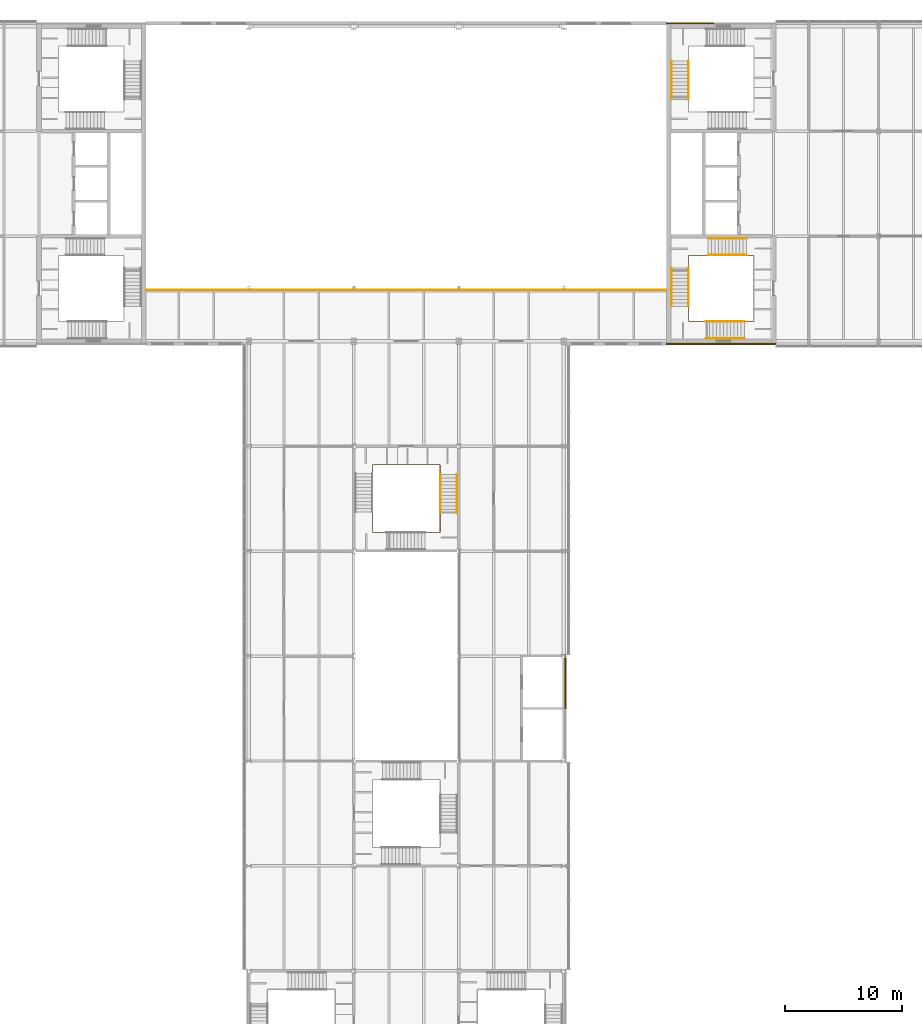
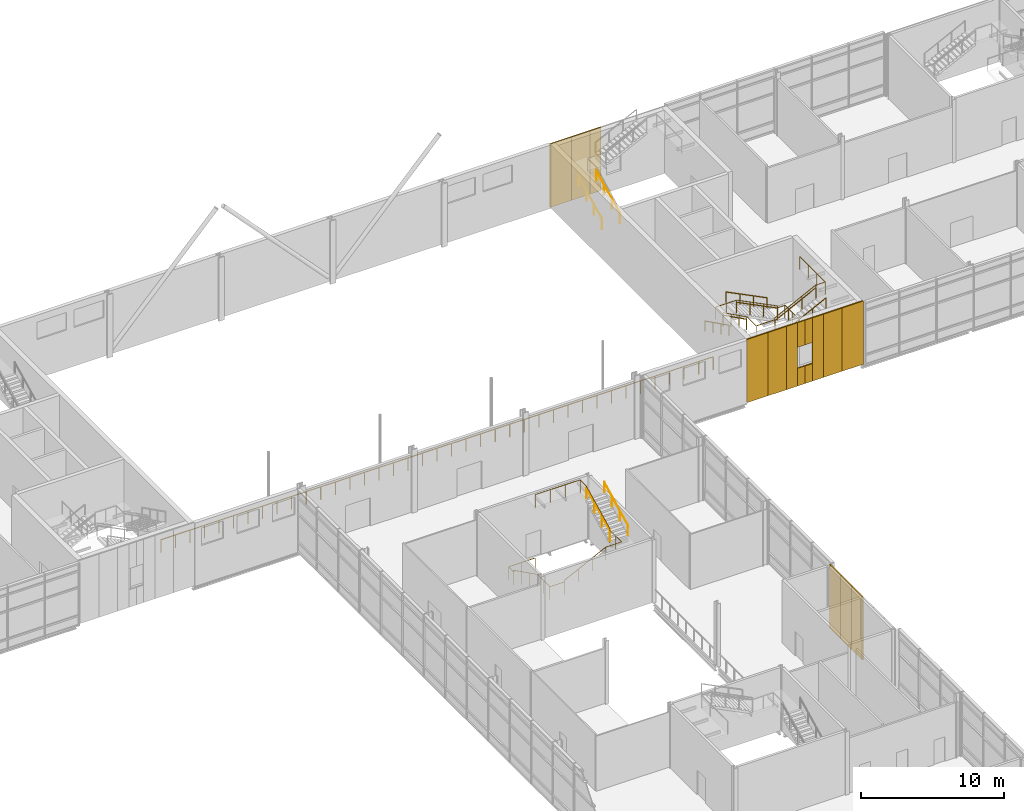
# One storey, part 53 of 56: 16 coverings, 13 railings.
"""IFC4 building model written with IfcOpenShell, lengths in metres."""

from ifc_helpers import new_model, si_unit, direction, frame, origin, origin_2d, place, context, subcontext, project, spatial, rectangle, circle, extrude, material, layer, layer_set, type_object, element, save


model = new_model("IFC4")

# Units and contexts
model_context = context("Model", 3, precision=1e-05, world=origin(), true_north=direction((0.0, 1.0)))
body_context = subcontext(model_context, "Body", "Model", "MODEL_VIEW")
ifc_project = project(units=[si_unit("LENGTHUNIT", "METRE"), si_unit("AREAUNIT", "SQUARE_METRE"), si_unit("VOLUMEUNIT", "CUBIC_METRE"), si_unit("PLANEANGLEUNIT", "RADIAN"), si_unit("MASSUNIT", "GRAM", prefix="KILO")], contexts=[model_context])

# Site, building, storey
site_placement = place(None, origin())
site = spatial("IfcSite", under=ifc_project, at=site_placement, CompositionType="ELEMENT")
building_placement = place(site_placement, origin())
building = spatial("IfcBuilding", under=site, at=building_placement, Name="Azimuth Sports and Learning Centre", CompositionType="ELEMENT")
storey_placement = place(building_placement, frame((0.0, 0.0, 5.39990234375)))
storey = spatial("IfcBuildingStorey", under=building, at=storey_placement, Name="L01", CompositionType="ELEMENT", Elevation=5.39990234375)

# Coverings
ifc_material_1 = material(Name="Cladding panel")
ifc_layer = layer(ifc_material_1, 0.10009765625)
ifc_layer_set = layer_set([ifc_layer], Name="Cladding panel")
covering_type = type_object("IfcCoveringType", Name="Cladding panel 100", PredefinedType="CLADDING", material=ifc_layer_set)
for number, where, z_axis, x_axis, name in (
    (1, (99.14990234375, 59.25, 0.000244140625), (0.0, 0.0, 1.0), (0.0, 1.0, 0.0), "Cladding panel E-STL L01 4"),
    (2, (99.14990234375, 60.75, 0.000244140625), (0.0, 0.0, 1.0), (0.0, 1.0, 0.0), "Cladding panel E-STL L01 5"),
):
    element("IfcCovering", number, at=place(storey_placement, frame(where, z_axis=z_axis, x_axis=x_axis)), inside=storey, type_object=covering_type, Name=name, PredefinedType="CLADDING", context=body_context, shape_type="SweptSolid", body=[
        extrude(rectangle(XDim=1.5, YDim=0.10009765625, at=origin_2d()), origin(), (0.0, 0.0, 1.0), 5.39990234375),
    ])
covering_1_placement = place(storey_placement, frame((99.14990234375, 62.300048828125, 0.000244140625), z_axis=(0.0, 0.0, 1.0), x_axis=(0.0, 1.0, 0.0)))
element("IfcCovering", 3, at=covering_1_placement, inside=storey, type_object=covering_type, Name="Cladding panel E-STL L01 6", PredefinedType="CLADDING", context=body_context, shape_type="SweptSolid", body=[
    extrude(rectangle(XDim=1.60009765625, YDim=0.10009765625, at=origin_2d()), origin(), (0.0, 0.0, 1.0), 5.39990234375),
])
covering_2_placement = place(storey_placement, frame((108.64990234375, 89.75, 0.000244140625), z_axis=(0.0, 0.0, 1.0), x_axis=(1.0, 0.0, 0.0)))
element("IfcCovering", 4, at=covering_2_placement, inside=storey, type_object=covering_type, Name="Cladding panel S-CORE E L01 1", PredefinedType="CLADDING", context=body_context, shape_type="SweptSolid", body=[
    extrude(rectangle(XDim=1.699951171875, YDim=0.10009765625, at=origin_2d()), origin(), (0.0, 0.0, 1.0), 5.39990234375),
])
covering_3_placement = place(storey_placement, frame((110.25, 89.75, 0.000244140625), z_axis=(0.0, 0.0, 1.0), x_axis=(1.0, 0.0, 0.0)))
element("IfcCovering", 5, at=covering_3_placement, inside=storey, type_object=covering_type, Name="Cladding panel S-CORE E L01 2", PredefinedType="CLADDING", context=body_context, shape_type="SweptSolid", body=[
    extrude(rectangle(XDim=1.5, YDim=0.10009765625, at=origin_2d()), origin(), (0.0, 0.0, 1.0), 5.39990234375),
])
covering_4_placement = place(storey_placement, frame((111.449951171875, 89.75, 0.000244140625), z_axis=(0.0, 0.0, 1.0), x_axis=(1.0, 0.0, 0.0)))
element("IfcCovering", 6, at=covering_4_placement, inside=storey, type_object=covering_type, Name="Cladding panel S-CORE E L01 3", PredefinedType="CLADDING", context=body_context, shape_type="SweptSolid", body=[
    extrude(rectangle(XDim=0.89990234375, YDim=0.10009765625, at=origin_2d()), origin(), (0.0, 0.0, 1.0), 5.39990234375),
])
covering_5_placement = place(storey_placement, frame((112.199951171875, 89.75, 0.0), z_axis=(0.0, 0.0, 1.0), x_axis=(1.0, 0.0, 0.0)))
element("IfcCovering", 7, at=covering_5_placement, inside=storey, type_object=covering_type, Name="Cladding panel S-CORE E L01 4", PredefinedType="CLADDING", context=body_context, shape_type="SweptSolid", body=[
    extrude(rectangle(XDim=0.60009765625, YDim=0.10009765625, at=origin_2d()), origin(), (0.0, 0.0, 1.0), 1.5),
])
covering_6_placement = place(storey_placement, frame((112.199951171875, 89.75, 3.300048828125), z_axis=(0.0, 0.0, 1.0), x_axis=(1.0, 0.0, 0.0)))
element("IfcCovering", 8, at=covering_6_placement, inside=storey, type_object=covering_type, Name="Cladding panel S-CORE E L01 5", PredefinedType="CLADDING", context=body_context, shape_type="SweptSolid", body=[
    extrude(rectangle(XDim=0.60009765625, YDim=0.10009765625, at=origin_2d()), origin(), (0.0, 0.0, 1.0), 2.10009765625),
])
covering_7_placement = place(storey_placement, frame((113.550048828125, 89.75, 0.000244140625), z_axis=(0.0, 0.0, 1.0), x_axis=(1.0, 0.0, 0.0)))
element("IfcCovering", 9, at=covering_7_placement, inside=storey, type_object=covering_type, Name="Cladding panel S-CORE E L01 6", PredefinedType="CLADDING", context=body_context, shape_type="SweptSolid", body=[
    extrude(rectangle(XDim=0.89990234375, YDim=0.10009765625, at=origin_2d()), origin(), (0.0, 0.0, 1.0), 5.39990234375),
])
covering_8_placement = place(storey_placement, frame((112.800048828125, 89.75, 0.0), z_axis=(0.0, 0.0, 1.0), x_axis=(1.0, 0.0, 0.0)))
element("IfcCovering", 10, at=covering_8_placement, inside=storey, type_object=covering_type, Name="Cladding panel S-CORE E L01 7", PredefinedType="CLADDING", context=body_context, shape_type="SweptSolid", body=[
    extrude(rectangle(XDim=0.60009765625, YDim=0.10009765625, at=origin_2d()), origin(), (0.0, 0.0, 1.0), 1.5),
])
covering_9_placement = place(storey_placement, frame((112.800048828125, 89.75, 3.300048828125), z_axis=(0.0, 0.0, 1.0), x_axis=(1.0, 0.0, 0.0)))
element("IfcCovering", 11, at=covering_9_placement, inside=storey, type_object=covering_type, Name="Cladding panel S-CORE E L01 8", PredefinedType="CLADDING", context=body_context, shape_type="SweptSolid", body=[
    extrude(rectangle(XDim=0.60009765625, YDim=0.10009765625, at=origin_2d()), origin(), (0.0, 0.0, 1.0), 2.10009765625),
])
covering_10_placement = place(storey_placement, frame((114.75, 89.75, 0.000244140625), z_axis=(0.0, 0.0, 1.0), x_axis=(1.0, 0.0, 0.0)))
element("IfcCovering", 12, at=covering_10_placement, inside=storey, type_object=covering_type, Name="Cladding panel S-CORE E L01 9", PredefinedType="CLADDING", context=body_context, shape_type="SweptSolid", body=[
    extrude(rectangle(XDim=1.5, YDim=0.10009765625, at=origin_2d()), origin(), (0.0, 0.0, 1.0), 5.39990234375),
])
covering_11_placement = place(storey_placement, frame((116.35009765625, 89.75, 0.000244140625), z_axis=(0.0, 0.0, 1.0), x_axis=(1.0, 0.0, 0.0)))
element("IfcCovering", 13, at=covering_11_placement, inside=storey, type_object=covering_type, Name="Cladding panel S-CORE E L01 10", PredefinedType="CLADDING", context=body_context, shape_type="SweptSolid", body=[
    extrude(rectangle(XDim=1.699951171875, YDim=0.10009765625, at=origin_2d()), origin(), (0.0, 0.0, 1.0), 5.39990234375),
])
covering_12_placement = place(storey_placement, frame((111.449951171875, 117.25, 0.000244140625), z_axis=(0.0, 0.0, 1.0), x_axis=(-1.0, 0.0, 0.0)))
element("IfcCovering", 14, at=covering_12_placement, inside=storey, type_object=covering_type, Name="Cladding panel N-CORE E L01 6", PredefinedType="CLADDING", context=body_context, shape_type="SweptSolid", body=[
    extrude(rectangle(XDim=0.89990234375, YDim=0.10009765625, at=origin_2d()), origin(), (0.0, 0.0, 1.0), 5.39990234375),
])
covering_13_placement = place(storey_placement, frame((110.25, 117.25, 0.000244140625), z_axis=(0.0, 0.0, 1.0), x_axis=(-1.0, 0.0, 0.0)))
element("IfcCovering", 15, at=covering_13_placement, inside=storey, type_object=covering_type, Name="Cladding panel N-CORE E L01 9", PredefinedType="CLADDING", context=body_context, shape_type="SweptSolid", body=[
    extrude(rectangle(XDim=1.5, YDim=0.10009765625, at=origin_2d()), origin(), (0.0, 0.0, 1.0), 5.39990234375),
])
covering_14_placement = place(storey_placement, frame((108.64990234375, 117.25, 0.000244140625), z_axis=(0.0, 0.0, 1.0), x_axis=(-1.0, 0.0, 0.0)))
element("IfcCovering", 16, at=covering_14_placement, inside=storey, type_object=covering_type, Name="Cladding panel N-CORE E L01 10", PredefinedType="CLADDING", context=body_context, shape_type="SweptSolid", body=[
    extrude(rectangle(XDim=1.699951171875, YDim=0.10009765625, at=origin_2d()), origin(), (0.0, 0.0, 1.0), 5.39990234375),
])

# Railings
ifc_material_2 = material(Name="Steel balustrade", Category="steel")
railing_type_1 = type_object("IfcRailingType", Name="Guard 1100", PredefinedType="GUARDRAIL", material=ifc_material_2)
railing_1_placement = place(storey_placement, frame((63.199951171875, 94.39990234375, 0.0)))
element("IfcRailing", 17, at=railing_1_placement, inside=storey, type_object=railing_type_1, Name="Gallery guard A", PredefinedType="GUARDRAIL", context=body_context, shape_type="SweptSolid", body=[
    extrude(circle(Radius=0.02392578125, at=origin_2d()), frame((0.0, 0.0, 1.076171875), z_axis=(1.0, 0.0, 0.0), x_axis=(0.0, 1.0, 0.0)), (0.0, 0.0, 1.0), 44.60009765625),
    extrude(circle(Radius=0.02099609375, at=origin_2d()), origin(), (0.0, 0.0, 1.0), 1.052001953125),
    extrude(circle(Radius=0.02099609375, at=origin_2d()), frame((1.173583984375, 0.0, 0.0)), (0.0, 0.0, 1.0), 1.052001953125),
    extrude(circle(Radius=0.02099609375, at=origin_2d()), frame((2.347412109375, 0.0, 0.0)), (0.0, 0.0, 1.0), 1.052001953125),
    extrude(circle(Radius=0.02099609375, at=origin_2d()), frame((3.52099609375, 0.0, 0.0)), (0.0, 0.0, 1.0), 1.052001953125),
    extrude(circle(Radius=0.02099609375, at=origin_2d()), frame((4.69482421875, 0.0, 0.0)), (0.0, 0.0, 1.0), 1.052001953125),
    extrude(circle(Radius=0.02099609375, at=origin_2d()), frame((5.868408203125, 0.0, 0.0)), (0.0, 0.0, 1.0), 1.052001953125),
    extrude(circle(Radius=0.02099609375, at=origin_2d()), frame((7.042236328125, 0.0, 0.0)), (0.0, 0.0, 1.0), 1.052001953125),
    extrude(circle(Radius=0.02099609375, at=origin_2d()), frame((8.2158203125, 0.0, 0.0)), (0.0, 0.0, 1.0), 1.052001953125),
    extrude(circle(Radius=0.02099609375, at=origin_2d()), frame((9.389404296875, 0.0, 0.0)), (0.0, 0.0, 1.0), 1.052001953125),
    extrude(circle(Radius=0.02099609375, at=origin_2d()), frame((10.563232421875, 0.0, 0.0)), (0.0, 0.0, 1.0), 1.052001953125),
    extrude(circle(Radius=0.02099609375, at=origin_2d()), frame((11.73681640625, 0.0, 0.0)), (0.0, 0.0, 1.0), 1.052001953125),
    extrude(circle(Radius=0.02099609375, at=origin_2d()), frame((12.91064453125, 0.0, 0.0)), (0.0, 0.0, 1.0), 1.052001953125),
    extrude(circle(Radius=0.02099609375, at=origin_2d()), frame((14.084228515625, 0.0, 0.0)), (0.0, 0.0, 1.0), 1.052001953125),
    extrude(circle(Radius=0.02099609375, at=origin_2d()), frame((15.2578125, 0.0, 0.0)), (0.0, 0.0, 1.0), 1.052001953125),
    extrude(circle(Radius=0.02099609375, at=origin_2d()), frame((16.431640625, 0.0, 0.0)), (0.0, 0.0, 1.0), 1.052001953125),
    extrude(circle(Radius=0.02099609375, at=origin_2d()), frame((17.605224609375, 0.0, 0.0)), (0.0, 0.0, 1.0), 1.052001953125),
    extrude(circle(Radius=0.02099609375, at=origin_2d()), frame((18.779052734375, 0.0, 0.0)), (0.0, 0.0, 1.0), 1.052001953125),
    extrude(circle(Radius=0.02099609375, at=origin_2d()), frame((19.95263671875, 0.0, 0.0)), (0.0, 0.0, 1.0), 1.052001953125),
    extrude(circle(Radius=0.02099609375, at=origin_2d()), frame((21.12646484375, 0.0, 0.0)), (0.0, 0.0, 1.0), 1.052001953125),
    extrude(circle(Radius=0.02099609375, at=origin_2d()), frame((22.300048828125, 0.0, 0.0)), (0.0, 0.0, 1.0), 1.052001953125),
    extrude(circle(Radius=0.02099609375, at=origin_2d()), frame((23.4736328125, 0.0, 0.0)), (0.0, 0.0, 1.0), 1.052001953125),
    extrude(circle(Radius=0.02099609375, at=origin_2d()), frame((24.6474609375, 0.0, 0.0)), (0.0, 0.0, 1.0), 1.052001953125),
    extrude(circle(Radius=0.02099609375, at=origin_2d()), frame((25.821044921875, 0.0, 0.0)), (0.0, 0.0, 1.0), 1.052001953125),
    extrude(circle(Radius=0.02099609375, at=origin_2d()), frame((26.994873046875, 0.0, 0.0)), (0.0, 0.0, 1.0), 1.052001953125),
    extrude(circle(Radius=0.02099609375, at=origin_2d()), frame((28.16845703125, 0.0, 0.0)), (0.0, 0.0, 1.0), 1.052001953125),
    extrude(circle(Radius=0.02099609375, at=origin_2d()), frame((29.34228515625, 0.0, 0.0)), (0.0, 0.0, 1.0), 1.052001953125),
    extrude(circle(Radius=0.02099609375, at=origin_2d()), frame((30.515869140625, 0.0, 0.0)), (0.0, 0.0, 1.0), 1.052001953125),
    extrude(circle(Radius=0.02099609375, at=origin_2d()), frame((31.689453125, 0.0, 0.0)), (0.0, 0.0, 1.0), 1.052001953125),
    extrude(circle(Radius=0.02099609375, at=origin_2d()), frame((32.86328125, 0.0, 0.0)), (0.0, 0.0, 1.0), 1.052001953125),
    extrude(circle(Radius=0.02099609375, at=origin_2d()), frame((34.036865234375, 0.0, 0.0)), (0.0, 0.0, 1.0), 1.052001953125),
    extrude(circle(Radius=0.02099609375, at=origin_2d()), frame((35.210693359375, 0.0, 0.0)), (0.0, 0.0, 1.0), 1.052001953125),
    extrude(circle(Radius=0.02099609375, at=origin_2d()), frame((36.38427734375, 0.0, 0.0)), (0.0, 0.0, 1.0), 1.052001953125),
    extrude(circle(Radius=0.02099609375, at=origin_2d()), frame((37.557861328125, 0.0, 0.0)), (0.0, 0.0, 1.0), 1.052001953125),
    extrude(circle(Radius=0.02099609375, at=origin_2d()), frame((38.731689453125, 0.0, 0.0)), (0.0, 0.0, 1.0), 1.052001953125),
    extrude(circle(Radius=0.02099609375, at=origin_2d()), frame((39.9052734375, 0.0, 0.0)), (0.0, 0.0, 1.0), 1.052001953125),
    extrude(circle(Radius=0.02099609375, at=origin_2d()), frame((41.0791015625, 0.0, 0.0)), (0.0, 0.0, 1.0), 1.052001953125),
    extrude(circle(Radius=0.02099609375, at=origin_2d()), frame((42.252685546875, 0.0, 0.0)), (0.0, 0.0, 1.0), 1.052001953125),
    extrude(circle(Radius=0.02099609375, at=origin_2d()), frame((43.426513671875, 0.0, 0.0)), (0.0, 0.0, 1.0), 1.052001953125),
    extrude(circle(Radius=0.02099609375, at=origin_2d()), frame((44.60009765625, 0.0, 0.0)), (0.0, 0.0, 1.0), 1.052001953125),
])
ifc_material_3 = material(Name="Stainless steel", Category="steel")
railing_type_2 = type_object("IfcRailingType", Name="Stair guard 1100", PredefinedType="GUARDRAIL", material=ifc_material_3)
railing_2_placement = place(storey_placement, frame((115.2900390625, 95.25, 0.0)))
element("IfcRailing", 18, at=railing_2_placement, inside=storey, type_object=railing_type_2, Name="Guard E1 L01 well", PredefinedType="GUARDRAIL", context=body_context, shape_type="SweptSolid", body=[
    extrude(circle(Radius=0.02392578125, at=origin_2d()), frame((0.0, 0.0, 1.076171875), z_axis=(0.0, 1.0, 0.0), x_axis=(-1.0, 0.0, 0.0)), (0.0, 0.0, 1.0), 2.090087890625),
    extrude(circle(Radius=0.02392578125, at=origin_2d()), frame((0.0, 2.090087890625, 1.076171875), z_axis=(-1.0, 0.0, 0.0), x_axis=(0.0, -1.0, 0.0)), (0.0, 0.0, 1.0), 0.60009765625),
    extrude(circle(Radius=0.02392578125, at=origin_2d()), frame((-0.60009765625, 2.090087890625, 1.076171875), z_axis=(0.0, 0.0, 1.0), x_axis=(1.0, 0.0, 0.0)), (0.0, 0.0, 1.0), 0.150146484375),
    extrude(circle(Radius=0.02392578125, at=origin_2d()), frame((-0.60009765625, 2.090087890625, 1.22607421875), z_axis=(-0.894440424912, 0.0, 0.447187126696), x_axis=(0.0, -1.0, 0.0)), (0.0, 0.0, 1.0), 3.689453125),
    extrude(circle(Radius=0.02392578125, at=origin_2d()), frame((-3.900146484375, 2.090087890625, 2.8759765625), z_axis=(-1.0, 0.0, 0.0), x_axis=(0.0, -1.0, 0.0)), (0.0, 0.0, 1.0), 1.679931640625),
    extrude(circle(Radius=0.02392578125, at=origin_2d()), frame((-5.580078125, 2.090087890625, 2.8759765625), z_axis=(0.0, -1.0, 0.0), x_axis=(1.0, 0.0, 0.0)), (0.0, 0.0, 1.0), 1.050048828125),
    extrude(circle(Radius=0.02392578125, at=origin_2d()), frame((-5.580078125, 1.0400390625, 2.8759765625), z_axis=(0.0, 0.0, 1.0), x_axis=(1.0, 0.0, 0.0)), (0.0, 0.0, 1.0), 0.150146484375),
    extrude(circle(Radius=0.02392578125, at=origin_2d()), frame((-5.580078125, 1.0400390625, 3.0263671875), z_axis=(0.0, -0.894440424912, 0.447187126696), x_axis=(1.0, 0.0, 0.0)), (0.0, 0.0, 1.0), 3.689453125),
    extrude(circle(Radius=0.02392578125, at=origin_2d()), frame((-5.580078125, -2.260009765625, 4.67626953125), z_axis=(0.0, -1.0, 0.0), x_axis=(1.0, 0.0, 0.0)), (0.0, 0.0, 1.0), 1.280029296875),
    extrude(circle(Radius=0.02392578125, at=origin_2d()), frame((-5.580078125, -3.5400390625, 4.67626953125), z_axis=(1.0, 0.0, 0.0), x_axis=(0.0, 1.0, 0.0)), (0.0, 0.0, 1.0), 1.5),
    extrude(circle(Radius=0.02392578125, at=origin_2d()), frame((-4.080078125, -3.5400390625, 4.67626953125), z_axis=(0.0, 0.0, 1.0), x_axis=(1.0, 0.0, 0.0)), (0.0, 0.0, 1.0), 0.14990234375),
    extrude(circle(Radius=0.02392578125, at=origin_2d()), frame((-4.080078125, -3.5400390625, 4.826171875), z_axis=(0.894413956696, 0.0, 0.447240063129), x_axis=(0.0, 1.0, 0.0)), (0.0, 0.0, 1.0), 3.689697265625),
    extrude(circle(Radius=0.02392578125, at=origin_2d()), frame((-0.780029296875, -3.5400390625, 6.47607421875), z_axis=(1.0, 0.0, 0.0), x_axis=(0.0, 1.0, 0.0)), (0.0, 0.0, 1.0), 0.780029296875),
    extrude(circle(Radius=0.02392578125, at=origin_2d()), frame((0.0, -3.5400390625, 6.47607421875), z_axis=(0.0, 1.0, 0.0), x_axis=(-1.0, 0.0, 0.0)), (0.0, 0.0, 1.0), 3.5400390625),
    extrude(circle(Radius=0.01611328125, at=origin_2d()), origin(), (0.0, 0.0, 1.0), 1.052001953125),
    extrude(circle(Radius=0.01611328125, at=origin_2d()), frame((0.0, 1.044921875, 0.0)), (0.0, 0.0, 1.0), 1.052001953125),
    extrude(circle(Radius=0.01611328125, at=origin_2d()), frame((0.0, 2.090087890625, 0.0)), (0.0, 0.0, 1.0), 1.052001953125),
    extrude(circle(Radius=0.01611328125, at=origin_2d()), frame((-0.60009765625, 2.090087890625, 0.0)), (0.0, 0.0, 1.0), 1.052001953125),
    extrude(circle(Radius=0.01611328125, at=origin_2d()), frame((-0.60009765625, 2.090087890625, 0.150146484375)), (0.0, 0.0, 1.0), 1.052001953125),
    extrude(circle(Radius=0.01611328125, at=origin_2d()), frame((-1.7001953125, 2.090087890625, 0.7001953125)), (0.0, 0.0, 1.0), 1.052001953125),
    extrude(circle(Radius=0.01611328125, at=origin_2d()), frame((-2.800048828125, 2.090087890625, 1.25)), (0.0, 0.0, 1.0), 1.052001953125),
    extrude(circle(Radius=0.01611328125, at=origin_2d()), frame((-3.900146484375, 2.090087890625, 1.800048828125)), (0.0, 0.0, 1.0), 1.052001953125),
    extrude(circle(Radius=0.01611328125, at=origin_2d()), frame((-4.740234375, 2.090087890625, 1.800048828125)), (0.0, 0.0, 1.0), 1.052001953125),
    extrude(circle(Radius=0.01611328125, at=origin_2d()), frame((-5.580078125, 2.090087890625, 1.800048828125)), (0.0, 0.0, 1.0), 1.052001953125),
    extrude(circle(Radius=0.01611328125, at=origin_2d()), frame((-5.580078125, 1.0400390625, 1.800048828125)), (0.0, 0.0, 1.0), 1.052001953125),
    extrude(circle(Radius=0.01611328125, at=origin_2d()), frame((-5.580078125, 1.0400390625, 1.9501953125)), (0.0, 0.0, 1.0), 1.052001953125),
    extrude(circle(Radius=0.01611328125, at=origin_2d()), frame((-5.580078125, -0.06005859375, 2.500244140625)), (0.0, 0.0, 1.0), 1.052001953125),
    extrude(circle(Radius=0.01611328125, at=origin_2d()), frame((-5.580078125, -1.159912109375, 3.050048828125)), (0.0, 0.0, 1.0), 1.052001953125),
    extrude(circle(Radius=0.01611328125, at=origin_2d()), frame((-5.580078125, -2.260009765625, 3.60009765625)), (0.0, 0.0, 1.0), 1.052001953125),
    extrude(circle(Radius=0.01611328125, at=origin_2d()), frame((-5.580078125, -3.5400390625, 3.60009765625)), (0.0, 0.0, 1.0), 1.052001953125),
    extrude(circle(Radius=0.01611328125, at=origin_2d()), frame((-4.080078125, -3.5400390625, 3.60009765625)), (0.0, 0.0, 1.0), 1.052001953125),
    extrude(circle(Radius=0.01611328125, at=origin_2d()), frame((-4.080078125, -3.5400390625, 3.75)), (0.0, 0.0, 1.0), 1.052001953125),
    extrude(circle(Radius=0.01611328125, at=origin_2d()), frame((-2.97998046875, -3.5400390625, 4.300048828125)), (0.0, 0.0, 1.0), 1.052001953125),
    extrude(circle(Radius=0.01611328125, at=origin_2d()), frame((-1.880126953125, -3.5400390625, 4.85009765625)), (0.0, 0.0, 1.0), 1.052001953125),
    extrude(circle(Radius=0.01611328125, at=origin_2d()), frame((-0.780029296875, -3.5400390625, 5.400146484375)), (0.0, 0.0, 1.0), 1.052001953125),
    extrude(circle(Radius=0.01611328125, at=origin_2d()), frame((0.0, -3.5400390625, 5.400146484375)), (0.0, 0.0, 1.0), 1.052001953125),
    extrude(circle(Radius=0.01611328125, at=origin_2d()), frame((0.0, -2.360107421875, 5.400146484375)), (0.0, 0.0, 1.0), 1.052001953125),
    extrude(circle(Radius=0.01611328125, at=origin_2d()), frame((0.0, -1.179931640625, 5.400146484375)), (0.0, 0.0, 1.0), 1.052001953125),
    extrude(circle(Radius=0.01611328125, at=origin_2d()), frame((0.0, 0.0, 5.400146484375)), (0.0, 0.0, 1.0), 1.052001953125),
])
railing_3_placement = place(storey_placement, frame((84.75, 79.389892578125, 0.0)))
element("IfcRailing", 19, at=railing_3_placement, inside=storey, type_object=railing_type_2, Name="Guard STD L01 well", PredefinedType="GUARDRAIL", context=body_context, shape_type="SweptSolid", body=[
    extrude(circle(Radius=0.02392578125, at=origin_2d()), frame((0.0, 0.0, 1.076171875), z_axis=(-1.0, 0.0, 0.0), x_axis=(0.0, -1.0, 0.0)), (0.0, 0.0, 1.0), 2.139892578125),
    extrude(circle(Radius=0.02392578125, at=origin_2d()), frame((-2.139892578125, 0.0, 1.076171875), z_axis=(0.0, -1.0, 0.0), x_axis=(1.0, 0.0, 0.0)), (0.0, 0.0, 1.0), 0.75),
    extrude(circle(Radius=0.02392578125, at=origin_2d()), frame((-2.139892578125, -0.75, 1.076171875), z_axis=(0.0, 0.0, 1.0), x_axis=(1.0, 0.0, 0.0)), (0.0, 0.0, 1.0), 0.150146484375),
    extrude(circle(Radius=0.02392578125, at=origin_2d()), frame((-2.139892578125, -0.75, 1.22607421875), z_axis=(0.0, -0.894427191, 0.4472135955), x_axis=(1.0, 0.0, 0.0)), (0.0, 0.0, 1.0), 3.689208984375),
    extrude(circle(Radius=0.02392578125, at=origin_2d()), frame((-2.139892578125, -4.0498046875, 2.8759765625), z_axis=(0.0, -1.0, 0.0), x_axis=(1.0, 0.0, 0.0)), (0.0, 0.0, 1.0), 1.72998046875),
    extrude(circle(Radius=0.02392578125, at=origin_2d()), frame((-2.139892578125, -5.77978515625, 2.8759765625), z_axis=(1.0, 0.0, 0.0), x_axis=(0.0, 1.0, 0.0)), (0.0, 0.0, 1.0), 1.199951171875),
    extrude(circle(Radius=0.02392578125, at=origin_2d()), frame((-0.93994140625, -5.77978515625, 2.8759765625), z_axis=(0.0, 0.0, 1.0), x_axis=(1.0, 0.0, 0.0)), (0.0, 0.0, 1.0), 0.150146484375),
    extrude(circle(Radius=0.02392578125, at=origin_2d()), frame((-0.93994140625, -5.77978515625, 3.0263671875), z_axis=(0.894440424912, 0.0, 0.447187126696), x_axis=(0.0, 1.0, 0.0)), (0.0, 0.0, 1.0), 3.689453125),
    extrude(circle(Radius=0.02392578125, at=origin_2d()), frame((2.360107421875, -5.77978515625, 4.67626953125), z_axis=(1.0, 0.0, 0.0), x_axis=(0.0, 1.0, 0.0)), (0.0, 0.0, 1.0), 1.27978515625),
    extrude(circle(Radius=0.02392578125, at=origin_2d()), frame((3.639892578125, -5.77978515625, 4.67626953125), z_axis=(0.0, 1.0, 0.0), x_axis=(-1.0, 0.0, 0.0)), (0.0, 0.0, 1.0), 1.64990234375),
    extrude(circle(Radius=0.02392578125, at=origin_2d()), frame((3.639892578125, -4.1298828125, 4.67626953125), z_axis=(0.0, 0.0, 1.0), x_axis=(1.0, 0.0, 0.0)), (0.0, 0.0, 1.0), 0.14990234375),
    extrude(circle(Radius=0.02392578125, at=origin_2d()), frame((3.639892578125, -4.1298828125, 4.826171875), z_axis=(0.0, 0.894413956696, 0.447240063129), x_axis=(-1.0, 0.0, 0.0)), (0.0, 0.0, 1.0), 3.689697265625),
    extrude(circle(Radius=0.02392578125, at=origin_2d()), frame((3.639892578125, -0.829833984375, 6.47607421875), z_axis=(0.0, 1.0, 0.0), x_axis=(-1.0, 0.0, 0.0)), (0.0, 0.0, 1.0), 0.829833984375),
    extrude(circle(Radius=0.02392578125, at=origin_2d()), frame((3.639892578125, 0.0, 6.47607421875), z_axis=(-1.0, 0.0, 0.0), x_axis=(0.0, -1.0, 0.0)), (0.0, 0.0, 1.0), 3.639892578125),
    extrude(circle(Radius=0.01611328125, at=origin_2d()), origin(), (0.0, 0.0, 1.0), 1.052001953125),
    extrude(circle(Radius=0.01611328125, at=origin_2d()), frame((-1.06982421875, 0.0, 0.0)), (0.0, 0.0, 1.0), 1.052001953125),
    extrude(circle(Radius=0.01611328125, at=origin_2d()), frame((-2.139892578125, 0.0, 0.0)), (0.0, 0.0, 1.0), 1.052001953125),
    extrude(circle(Radius=0.01611328125, at=origin_2d()), frame((-2.139892578125, -0.75, 0.0)), (0.0, 0.0, 1.0), 1.052001953125),
    extrude(circle(Radius=0.01611328125, at=origin_2d()), frame((-2.139892578125, -0.75, 0.150146484375)), (0.0, 0.0, 1.0), 1.052001953125),
    extrude(circle(Radius=0.01611328125, at=origin_2d()), frame((-2.139892578125, -1.849853515625, 0.7001953125)), (0.0, 0.0, 1.0), 1.052001953125),
    extrude(circle(Radius=0.01611328125, at=origin_2d()), frame((-2.139892578125, -2.949951171875, 1.25)), (0.0, 0.0, 1.0), 1.052001953125),
    extrude(circle(Radius=0.01611328125, at=origin_2d()), frame((-2.139892578125, -4.0498046875, 1.800048828125)), (0.0, 0.0, 1.0), 1.052001953125),
    extrude(circle(Radius=0.01611328125, at=origin_2d()), frame((-2.139892578125, -4.914794921875, 1.800048828125)), (0.0, 0.0, 1.0), 1.052001953125),
    extrude(circle(Radius=0.01611328125, at=origin_2d()), frame((-2.139892578125, -5.77978515625, 1.800048828125)), (0.0, 0.0, 1.0), 1.052001953125),
    extrude(circle(Radius=0.01611328125, at=origin_2d()), frame((-0.93994140625, -5.77978515625, 1.800048828125)), (0.0, 0.0, 1.0), 1.052001953125),
    extrude(circle(Radius=0.01611328125, at=origin_2d()), frame((-0.93994140625, -5.77978515625, 1.9501953125)), (0.0, 0.0, 1.0), 1.052001953125),
    extrude(circle(Radius=0.01611328125, at=origin_2d()), frame((0.16015625, -5.77978515625, 2.500244140625)), (0.0, 0.0, 1.0), 1.052001953125),
    extrude(circle(Radius=0.01611328125, at=origin_2d()), frame((1.260009765625, -5.77978515625, 3.050048828125)), (0.0, 0.0, 1.0), 1.052001953125),
    extrude(circle(Radius=0.01611328125, at=origin_2d()), frame((2.360107421875, -5.77978515625, 3.60009765625)), (0.0, 0.0, 1.0), 1.052001953125),
    extrude(circle(Radius=0.01611328125, at=origin_2d()), frame((3.639892578125, -5.77978515625, 3.60009765625)), (0.0, 0.0, 1.0), 1.052001953125),
    extrude(circle(Radius=0.01611328125, at=origin_2d()), frame((3.639892578125, -4.954833984375, 3.60009765625)), (0.0, 0.0, 1.0), 1.052001953125),
    extrude(circle(Radius=0.01611328125, at=origin_2d()), frame((3.639892578125, -4.1298828125, 3.60009765625)), (0.0, 0.0, 1.0), 1.052001953125),
    extrude(circle(Radius=0.01611328125, at=origin_2d()), frame((3.639892578125, -4.1298828125, 3.75)), (0.0, 0.0, 1.0), 1.052001953125),
    extrude(circle(Radius=0.01611328125, at=origin_2d()), frame((3.639892578125, -3.02978515625, 4.300048828125)), (0.0, 0.0, 1.0), 1.052001953125),
    extrude(circle(Radius=0.01611328125, at=origin_2d()), frame((3.639892578125, -1.929931640625, 4.85009765625)), (0.0, 0.0, 1.0), 1.052001953125),
    extrude(circle(Radius=0.01611328125, at=origin_2d()), frame((3.639892578125, -0.829833984375, 5.400146484375)), (0.0, 0.0, 1.0), 1.052001953125),
    extrude(circle(Radius=0.01611328125, at=origin_2d()), frame((3.639892578125, 0.0, 5.400146484375)), (0.0, 0.0, 1.0), 1.052001953125),
    extrude(circle(Radius=0.01611328125, at=origin_2d()), frame((2.426513671875, 0.0, 5.400146484375)), (0.0, 0.0, 1.0), 1.052001953125),
    extrude(circle(Radius=0.01611328125, at=origin_2d()), frame((1.21337890625, 0.0, 5.400146484375)), (0.0, 0.0, 1.0), 1.052001953125),
    extrude(circle(Radius=0.01611328125, at=origin_2d()), frame((0.0, 0.0, 5.400146484375)), (0.0, 0.0, 1.0), 1.052001953125),
])
ifc_material_4 = material(Name="Stainless steel", Category="steel")
railing_type_3 = type_object("IfcRailingType", Name="Stair handrail 42", PredefinedType="HANDRAIL", material=ifc_material_4)
for number, where, name in (
    (20, (114.68994140625, 97.3701171875, 0.150146484375), "Handrail E1 L01 flight 1 inner"),
    (21, (114.68994140625, 98.81005859375, 0.150146484375), "Handrail E1 L01 flight 1 outer"),
):
    element("IfcRailing", number, at=place(storey_placement, frame(where)), inside=storey, type_object=railing_type_3, Name=name, PredefinedType="HANDRAIL", context=body_context, shape_type="SweptSolid", body=[
        extrude(circle(Radius=0.02099609375, at=origin_2d()), frame((0.0, 0.0, 0.87890625), z_axis=(-0.894440424912, 0.0, 0.447187126696), x_axis=(0.0, -1.0, 0.0)), (0.0, 0.0, 1.0), 3.689453125),
        extrude(circle(Radius=0.01611328125, at=origin_2d()), origin(), (0.0, 0.0, 1.0), 0.85791015625),
        extrude(circle(Radius=0.01611328125, at=origin_2d()), frame((-1.10009765625, 0.0, 0.550048828125)), (0.0, 0.0, 1.0), 0.85791015625),
        extrude(circle(Radius=0.01611328125, at=origin_2d()), frame((-2.199951171875, 0.0, 1.099853515625)), (0.0, 0.0, 1.0), 0.85791015625),
        extrude(circle(Radius=0.01611328125, at=origin_2d()), frame((-3.300048828125, 0.0, 1.64990234375)), (0.0, 0.0, 1.0), 0.85791015625),
    ])
for number, where, name in (
    (22, (109.679931640625, 96.2900390625, 1.9501953125), "Handrail E1 L01 flight 2 inner"),
    (23, (108.239990234375, 96.2900390625, 1.9501953125), "Handrail E1 L01 flight 2 outer"),
):
    element("IfcRailing", number, at=place(storey_placement, frame(where)), inside=storey, type_object=railing_type_3, Name=name, PredefinedType="HANDRAIL", context=body_context, shape_type="SweptSolid", body=[
        extrude(circle(Radius=0.02099609375, at=origin_2d()), frame((0.0, 0.0, 0.87890625), z_axis=(0.0, -0.894440424912, 0.447187126696), x_axis=(1.0, 0.0, 0.0)), (0.0, 0.0, 1.0), 3.689453125),
        extrude(circle(Radius=0.01611328125, at=origin_2d()), origin(), (0.0, 0.0, 1.0), 0.85791015625),
        extrude(circle(Radius=0.01611328125, at=origin_2d()), frame((0.0, -1.10009765625, 0.550048828125)), (0.0, 0.0, 1.0), 0.85791015625),
        extrude(circle(Radius=0.01611328125, at=origin_2d()), frame((0.0, -2.199951171875, 1.099853515625)), (0.0, 0.0, 1.0), 0.85791015625),
        extrude(circle(Radius=0.01611328125, at=origin_2d()), frame((0.0, -3.300048828125, 1.64990234375)), (0.0, 0.0, 1.0), 0.85791015625),
    ])
for number, where, name in (
    (24, (111.2099609375, 91.679931640625, 3.75), "Handrail E1 L01 flight 3 inner"),
    (25, (111.2099609375, 90.239990234375, 3.75), "Handrail E1 L01 flight 3 outer"),
):
    element("IfcRailing", number, at=place(storey_placement, frame(where)), inside=storey, type_object=railing_type_3, Name=name, PredefinedType="HANDRAIL", context=body_context, shape_type="SweptSolid", body=[
        extrude(circle(Radius=0.02099609375, at=origin_2d()), frame((0.0, 0.0, 0.87890625), z_axis=(0.894413956696, 0.0, 0.447240063129), x_axis=(0.0, 1.0, 0.0)), (0.0, 0.0, 1.0), 3.689697265625),
        extrude(circle(Radius=0.01611328125, at=origin_2d()), origin(), (0.0, 0.0, 1.0), 0.85791015625),
        extrude(circle(Radius=0.01611328125, at=origin_2d()), frame((1.10009765625, 0.0, 0.550048828125)), (0.0, 0.0, 1.0), 0.85791015625),
        extrude(circle(Radius=0.01611328125, at=origin_2d()), frame((2.199951171875, 0.0, 1.10009765625)), (0.0, 0.0, 1.0), 0.85791015625),
        extrude(circle(Radius=0.01611328125, at=origin_2d()), frame((3.300048828125, 0.0, 1.650146484375)), (0.0, 0.0, 1.0), 0.85791015625),
    ])
for number, where, name in (
    (26, (109.679931640625, 110.7099609375, 1.9501953125), "Handrail E2 L01 flight 2 inner"),
    (27, (108.239990234375, 110.7099609375, 1.9501953125), "Handrail E2 L01 flight 2 outer"),
):
    element("IfcRailing", number, at=place(storey_placement, frame(where)), inside=storey, type_object=railing_type_3, Name=name, PredefinedType="HANDRAIL", context=body_context, shape_type="SweptSolid", body=[
        extrude(circle(Radius=0.02099609375, at=origin_2d()), frame((0.0, 0.0, 0.87890625), z_axis=(0.0, 0.894440424912, 0.447187126696), x_axis=(-1.0, 0.0, 0.0)), (0.0, 0.0, 1.0), 3.689453125),
        extrude(circle(Radius=0.01611328125, at=origin_2d()), origin(), (0.0, 0.0, 1.0), 0.85791015625),
        extrude(circle(Radius=0.01611328125, at=origin_2d()), frame((0.0, 1.10009765625, 0.550048828125)), (0.0, 0.0, 1.0), 0.85791015625),
        extrude(circle(Radius=0.01611328125, at=origin_2d()), frame((0.0, 2.199951171875, 1.099853515625)), (0.0, 0.0, 1.0), 0.85791015625),
        extrude(circle(Radius=0.01611328125, at=origin_2d()), frame((0.0, 3.300048828125, 1.64990234375)), (0.0, 0.0, 1.0), 0.85791015625),
    ])
for number, where, name in (
    (28, (88.419921875, 75.260009765625, 3.75), "Handrail STD L01 flight 3 inner"),
    (29, (89.860107421875, 75.260009765625, 3.75), "Handrail STD L01 flight 3 outer"),
):
    element("IfcRailing", number, at=place(storey_placement, frame(where)), inside=storey, type_object=railing_type_3, Name=name, PredefinedType="HANDRAIL", context=body_context, shape_type="SweptSolid", body=[
        extrude(circle(Radius=0.02099609375, at=origin_2d()), frame((0.0, 0.0, 0.87890625), z_axis=(0.0, 0.894413956696, 0.447240063129), x_axis=(-1.0, 0.0, 0.0)), (0.0, 0.0, 1.0), 3.689697265625),
        extrude(circle(Radius=0.01611328125, at=origin_2d()), origin(), (0.0, 0.0, 1.0), 0.85791015625),
        extrude(circle(Radius=0.01611328125, at=origin_2d()), frame((0.0, 1.10009765625, 0.550048828125)), (0.0, 0.0, 1.0), 0.85791015625),
        extrude(circle(Radius=0.01611328125, at=origin_2d()), frame((0.0, 2.199951171875, 1.10009765625)), (0.0, 0.0, 1.0), 0.85791015625),
        extrude(circle(Radius=0.01611328125, at=origin_2d()), frame((0.0, 3.300048828125, 1.650146484375)), (0.0, 0.0, 1.0), 0.85791015625),
    ])

save(model, "model.ifc")
